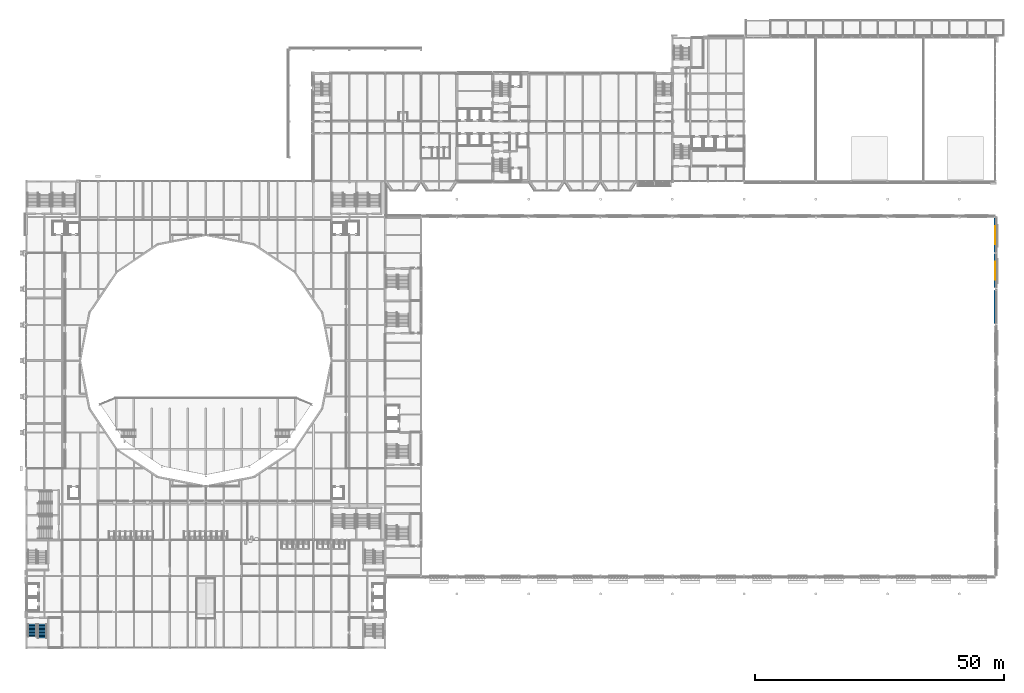
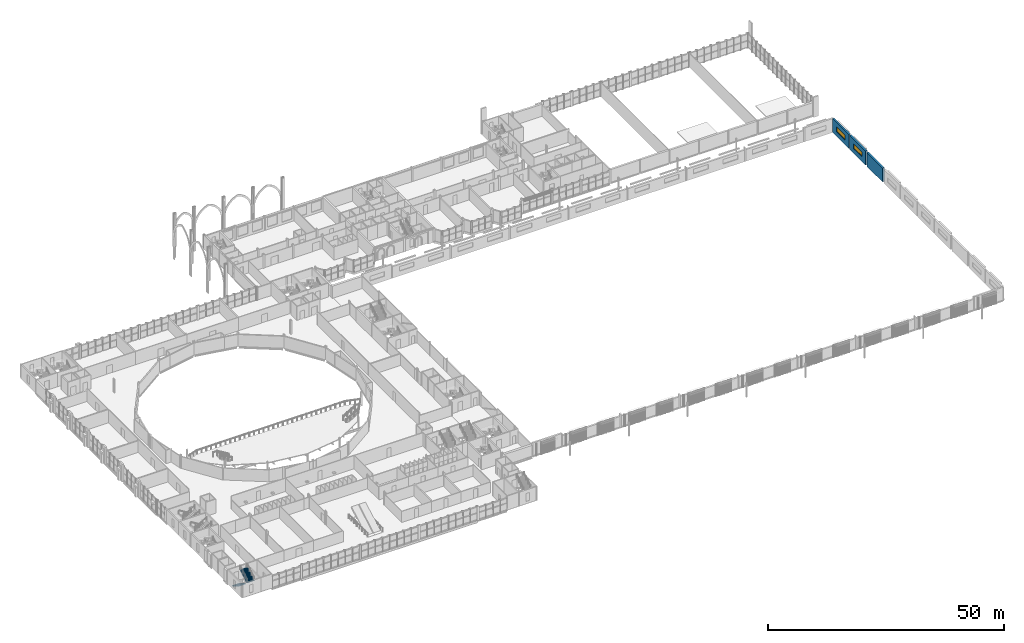
# One storey, part 80 of 124: 3 walls, 2 stair flights, 2 windows, 2 openings, 1 element without a shape of its own.
"""IFC4 building model written with IfcOpenShell, lengths in metres."""

from ifc_helpers import new_model, si_unit, direction, frame, frame_2d, origin, place, context, subcontext, project, spatial, polyline, rectangle, outline, extrude, material, layer, layer_set, type_object, element, fill, aggregate, save


model = new_model("IFC4")

# Units and contexts
model_context = context("Model", 3, precision=1e-05, world=origin(), true_north=direction((0.0, 1.0)))
body_context = subcontext(model_context, "Body", "Model", "MODEL_VIEW")
ifc_project = project(units=[si_unit("LENGTHUNIT", "METRE"), si_unit("AREAUNIT", "SQUARE_METRE"), si_unit("VOLUMEUNIT", "CUBIC_METRE"), si_unit("PLANEANGLEUNIT", "RADIAN"), si_unit("MASSUNIT", "GRAM", prefix="KILO")], contexts=[model_context])

# Site, building, storey
site_placement = place(None, origin())
site = spatial("IfcSite", under=ifc_project, at=site_placement, CompositionType="ELEMENT")
building_placement = place(site_placement, origin())
building = spatial("IfcBuilding", under=site, at=building_placement, Name="Kupolbacken Congress Centre", CompositionType="ELEMENT")
storey_placement = place(building_placement, frame((0.0, 0.0, 10.800048828125)))
storey = spatial("IfcBuildingStorey", under=building, at=storey_placement, Name="L03", CompositionType="ELEMENT", Elevation=10.800048828125)

# Wall
ifc_material_1 = material(Name="Brick", Category="masonry")
ifc_layer_1 = layer(ifc_material_1, 0.10791015625)
ifc_material_2 = material(Name="Air cavity", Category="air")
ifc_layer_2 = layer(ifc_material_2, 0.0400390625, ventilated=True)
ifc_material_3 = material(Name="Mineral wool", Category="insulation")
ifc_layer_3 = layer(ifc_material_3, 0.152099609375)
ifc_material_4 = material(Name="Concrete block", Category="masonry")
ifc_layer_4 = layer(ifc_material_4, 0.1201171875)
ifc_layer_set = layer_set([ifc_layer_1, ifc_layer_2, ifc_layer_3, ifc_layer_4], Name="Brick / Mineral wool / Concrete block")
wall_type = type_object("IfcWallType", Name="EW04 external cavity wall 420", PredefinedType="SOLIDWALL", material=ifc_layer_set)
wall_1_placement = place(storey_placement, frame((201.60009765625, 93.844970703125, 0.0), z_axis=(0.0, 0.0, 1.0), x_axis=(0.0, 1.0, 0.0)))
element("IfcWall", 1, at=wall_1_placement, inside=storey, type_object=wall_type, Name="E/H/E/L03/350", PredefinedType="SOLIDWALL", context=body_context, shape_type="SweptSolid", body=[
    extrude(rectangle(XDim=6.7099609375, YDim=0.419921875, at=frame_2d((3.35498046875, 0.0))), origin(), (0.0, 0.0, 1.0), 3.599853515625),
])

# Wall, opening, window
wall_2_placement = place(storey_placement, frame((201.60009765625, 101.044921875, 0.0), z_axis=(0.0, 0.0, 1.0), x_axis=(0.0, 1.0, 0.0)))
wall_2 = element("IfcWall", 2, at=wall_2_placement, inside=storey, type_object=wall_type, Name="E/H/E/L03/351", PredefinedType="SOLIDWALL", context=body_context, shape_type="SweptSolid", body=[
    extrude(rectangle(XDim=6.81005859375, YDim=0.419921875, at=frame_2d((3.405029296875, 0.0))), origin(), (0.0, 0.0, 1.0), 3.599853515625),
])
opening_1_placement = place(wall_2_placement, frame((1.554931640625, 0.0, 1.199951171875)))
opening_1 = element("IfcOpeningElement", 3, at=opening_1_placement, cuts=wall_2, Name="Opening W12", PredefinedType="OPENING", context=body_context, shape_type="SweptSolid", body=[
    extrude(rectangle(XDim=3.60009765625, YDim=1.199951171875, at=frame_2d((1.800048828125, 0.60009765625))), frame((0.0, 0.219970703125, 0.0), z_axis=(0.0, -1.0, 0.0), x_axis=(1.0, 0.0, 0.0)), (0.0, 0.0, 1.0), 0.43994140625),
])
ifc_material_5 = material(Name="Aluminium frame with double or triple glazing", Category="aluminium")
window_type = type_object("IfcWindowType", Name="W12 window 3600x1200", PartitioningType="TRIPLE_PANEL_VERTICAL", PredefinedType="WINDOW", material=ifc_material_5)
window_1_placement = place(opening_1_placement, origin())
window_1 = element("IfcWindow", 4, at=window_1_placement, inside=storey, type_object=window_type, Name="E/H/E/L03/351/W1", OverallHeight=1.199951171875, OverallWidth=3.60009765625, PartitioningType="SINGLE_PANEL", PredefinedType="WINDOW", context=body_context, shape_type="SweptSolid", body=[
    extrude(rectangle(XDim=3.60009765625, YDim=1.199951171875, at=frame_2d((1.800048828125, 0.60009765625))), frame((0.0, 0.030029296875, 0.0), z_axis=(0.0, -1.0, 0.0), x_axis=(1.0, 0.0, 0.0)), (0.0, 0.0, 1.0), 0.06005859375),
])
fill(opening_1, window_1)

wall_3_placement = place(storey_placement, frame((201.60009765625, 108.14501953125, 0.0), z_axis=(0.0, 0.0, 1.0), x_axis=(0.0, 1.0, 0.0)))
wall_3 = element("IfcWall", 5, at=wall_3_placement, inside=storey, type_object=wall_type, Name="E/H/E/L03/352", PredefinedType="SOLIDWALL", context=body_context, shape_type="SweptSolid", body=[
    extrude(rectangle(XDim=6.844970703125, YDim=0.419921875, at=frame_2d((3.42236328125, 0.0))), origin(), (0.0, 0.0, 1.0), 3.599853515625),
])
opening_2_placement = place(wall_3_placement, frame((1.655029296875, 0.0, 1.199951171875)))
opening_2 = element("IfcOpeningElement", 6, at=opening_2_placement, cuts=wall_3, Name="Opening W12", PredefinedType="OPENING", context=body_context, shape_type="SweptSolid", body=[
    extrude(rectangle(XDim=3.60009765625, YDim=1.199951171875, at=frame_2d((1.800048828125, 0.60009765625))), frame((0.0, 0.219970703125, 0.0), z_axis=(0.0, -1.0, 0.0), x_axis=(1.0, 0.0, 0.0)), (0.0, 0.0, 1.0), 0.43994140625),
])
window_2_placement = place(opening_2_placement, origin())
window_2 = element("IfcWindow", 7, at=window_2_placement, inside=storey, type_object=window_type, Name="E/H/E/L03/352/W1", OverallHeight=1.199951171875, OverallWidth=3.60009765625, PartitioningType="SINGLE_PANEL", PredefinedType="WINDOW", context=body_context, shape_type="SweptSolid", body=[
    extrude(rectangle(XDim=3.60009765625, YDim=1.199951171875, at=frame_2d((1.800048828125, 0.60009765625))), frame((0.0, 0.030029296875, 0.0), z_axis=(0.0, -1.0, 0.0), x_axis=(1.0, 0.0, 0.0)), (0.0, 0.0, 1.0), 0.06005859375),
])
fill(opening_2, window_2)

# Stair, stair flights
ifc_material_6 = material(Name="Steel S355", Category="steel")
stair_type = type_object("IfcStairType", Name="ST3 stair 1800", PredefinedType="TWO_STRAIGHT_RUN_STAIR", material=ifc_material_6)
stair_placement = place(storey_placement, origin())
stair = element("IfcStair", 8, at=stair_placement, inside=storey, type_object=stair_type, Name="C/stair/FS1W/L03", PredefinedType="NOTDEFINED")
ifc_material_7 = material(Name="Steel S355", Category="steel")
stair_flight_type_1 = type_object("IfcStairFlightType", Name="FL5 stair flight 1800 x 10 risers", PredefinedType="STRAIGHT", material=ifc_material_7)
stair_flight_1_placement = place(storey_placement, frame((8.39990234375, 33.544921875, 0.0), z_axis=(0.0, 0.0, 1.0), x_axis=(0.0, -1.0, 0.0)))
stair_flight_1 = element("IfcStairFlight", 9, at=stair_flight_1_placement, type_object=stair_flight_type_1, Name="FS1W flight 1", NumberOfRisers=10, NumberOfTreads=9, PredefinedType="STRAIGHT", RiserHeight=0.171428571, TreadLength=0.28, context=body_context, shape_type="SweptSolid", body=[
    extrude(outline(polyline([(0.0, 0.0), (0.0, 0.0009765625), (0.0, 0.002197265625), (0.0, 0.003173828125), (0.0, 0.004150390625), (0.0, 0.00537109375), (0.0, 0.00634765625), (0.0, 0.007568359375), (0.0, 0.008544921875), (0.0, 0.009521484375), (0.0, 0.0107421875), (0.0, 0.01171875), (0.0, 0.0126953125), (0.0, 0.013916015625), (0.0, 0.014892578125), (0.0, 0.015869140625), (0.0, 0.01708984375), (0.0, 0.01806640625), (0.0, 0.019287109375), (0.0, 0.020263671875), (0.0, 0.021240234375), (0.0, 0.0224609375), (0.0, 0.0234375), (0.0, 0.0244140625), (0.0, 0.025634765625), (0.0, 0.026611328125), (0.0, 0.027587890625), (0.0, 0.02880859375), (0.0, 0.02978515625), (0.0, 0.03076171875), (0.0, 0.031982421875), (0.0, 0.032958984375), (0.0, 0.0341796875), (0.0, 0.03515625), (0.0, 0.0361328125), (0.0, 0.037353515625), (0.0, 0.038330078125), (0.0, 0.039306640625), (0.0, 0.04052734375), (0.0, 0.04150390625), (0.0, 0.04248046875), (0.0, 0.043701171875), (0.0, 0.044677734375), (0.0, 0.0458984375), (0.0, 0.046875), (0.0, 0.0478515625), (0.0, 0.049072265625), (0.0, 0.050048828125), (0.0, 0.051025390625), (0.0, 0.05224609375), (0.0, 0.05322265625), (0.0, 0.05419921875), (0.0, 0.055419921875), (0.0, 0.056396484375), (0.0, 0.0576171875), (0.0, 0.05859375), (0.0, 0.0595703125), (0.0, 0.060791015625), (0.0, 0.061767578125), (0.0, 0.062744140625), (0.0, 0.06396484375), (0.0, 0.06494140625), (0.0, 0.06591796875), (0.0, 0.067138671875), (0.0, 0.068115234375), (0.0, 0.069091796875), (0.0, 0.0703125), (0.0, 0.0712890625), (0.0, 0.072509765625), (0.0, 0.073486328125), (0.0, 0.074462890625), (0.0, 0.07568359375), (0.0, 0.07666015625), (0.0, 0.07763671875), (0.0, 0.078857421875), (0.0, 0.079833984375), (0.0, 0.080810546875), (0.0, 0.08203125), (0.0, 0.0830078125), (0.0, 0.084228515625), (0.0, 0.085205078125), (0.0, 0.086181640625), (0.0, 0.08740234375), (0.0, 0.08837890625), (0.0, 0.08935546875), (0.0, 0.090576171875), (0.0, 0.091552734375), (0.0, 0.092529296875), (0.0, 0.09375), (0.0, 0.0947265625), (0.0, 0.095947265625), (0.0, 0.096923828125), (0.0, 0.097900390625), (0.0, 0.09912109375), (0.0, 0.10009765625), (0.0, 0.10107421875), (0.0, 0.102294921875), (0.0, 0.103271484375), (0.0, 0.104248046875), (0.0, 0.10546875), (0.0, 0.1064453125), (0.0, 0.107421875), (0.0, 0.108642578125), (0.0, 0.109619140625), (0.0, 0.11083984375), (0.0, 0.11181640625), (0.0, 0.11279296875), (0.0, 0.114013671875), (0.0, 0.114990234375), (0.0, 0.115966796875), (0.0, 0.1171875), (0.0, 0.1181640625), (0.0, 0.119140625), (0.0, 0.120361328125), (0.0, 0.121337890625), (0.0, 0.12255859375), (0.0, 0.12353515625), (0.0, 0.12451171875), (0.0, 0.125732421875), (0.0, 0.126708984375), (0.0, 0.127685546875), (0.0, 0.12890625), (0.0, 0.1298828125), (0.0, 0.130859375), (0.0, 0.132080078125), (0.0, 0.133056640625), (0.0, 0.13427734375), (0.0, 0.13525390625), (0.0, 0.13623046875), (0.0, 0.137451171875), (0.0, 0.138427734375), (0.0, 0.139404296875), (0.0, 0.140625), (0.0, 0.1416015625), (0.0, 0.142578125), (0.0, 0.143798828125), (0.0, 0.144775390625), (0.0, 0.145751953125), (0.0, 0.14697265625), (0.0, 0.14794921875), (0.0, 0.149169921875), (0.0, 0.150146484375), (0.0, 0.151123046875), (0.0, 0.15234375), (0.0, 0.1533203125), (0.0, 0.154296875), (0.0, 0.155517578125), (0.0, 0.156494140625), (0.0, 0.157470703125), (0.0, 0.15869140625), (0.0, 0.15966796875), (0.0, 0.160888671875), (0.0, 0.161865234375), (0.0, 0.162841796875), (0.0, 0.1640625), (0.0, 0.1650390625), (0.0, 0.166015625), (0.0, 0.167236328125), (0.0, 0.168212890625), (0.0, 0.169189453125), (0.0, 0.17041015625), (0.0, 0.17138671875), (0.280029296875, 0.17138671875), (0.280029296875, 0.3427734375), (0.56005859375, 0.3427734375), (0.56005859375, 0.514404296875), (0.840087890625, 0.514404296875), (0.840087890625, 0.685791015625), (1.1201171875, 0.685791015625), (1.1201171875, 0.857177734375), (1.39990234375, 0.857177734375), (1.39990234375, 1.028564453125), (1.679931640625, 1.028564453125), (1.679931640625, 1.199951171875), (1.9599609375, 1.199951171875), (1.9599609375, 1.371337890625), (2.239990234375, 1.371337890625), (2.239990234375, 1.54296875), (2.52001953125, 1.54296875), (2.52001953125, 1.71435546875), (2.52197265625, 1.71435546875), (2.52197265625, 1.712158203125), (2.52197265625, 1.7099609375), (2.52197265625, 1.707763671875), (2.52197265625, 1.70556640625), (2.52197265625, 1.70361328125), (2.52197265625, 1.701416015625), (2.52197265625, 1.69921875), (2.52197265625, 1.697021484375), (2.52197265625, 1.69482421875), (2.52197265625, 1.692626953125), (2.52197265625, 1.690673828125), (2.52197265625, 1.6884765625), (2.52197265625, 1.686279296875), (2.52197265625, 1.68408203125), (2.52197265625, 1.681884765625), (2.52197265625, 1.6796875), (2.52197265625, 1.677734375), (2.52197265625, 1.675537109375), (2.52197265625, 1.67333984375), (2.52197265625, 1.671142578125), (2.52197265625, 1.6689453125), (2.52197265625, 1.666748046875), (2.52197265625, 1.664794921875), (2.52197265625, 1.66259765625), (2.52197265625, 1.660400390625), (2.52197265625, 1.658203125), (2.52197265625, 1.656005859375), (2.52197265625, 1.65380859375), (2.52197265625, 1.65185546875), (2.52197265625, 1.649658203125), (2.52197265625, 1.6474609375), (2.52197265625, 1.645263671875), (2.52197265625, 1.64306640625), (2.52197265625, 1.640869140625), (2.52197265625, 1.638916015625), (2.52197265625, 1.63671875), (2.52197265625, 1.634521484375), (2.52197265625, 1.63232421875), (2.52197265625, 1.630126953125), (2.52197265625, 1.6279296875), (2.52197265625, 1.6259765625), (2.52197265625, 1.623779296875), (2.52197265625, 1.62158203125), (2.52197265625, 1.619384765625), (2.52197265625, 1.6171875), (2.52197265625, 1.614990234375), (2.52197265625, 1.613037109375), (2.52197265625, 1.61083984375), (2.52197265625, 1.608642578125), (2.52197265625, 1.6064453125), (2.52197265625, 1.604248046875), (2.52197265625, 1.60205078125), (2.52197265625, 1.60009765625), (2.52197265625, 1.597900390625), (2.52197265625, 1.595703125), (2.52197265625, 1.593505859375), (2.52197265625, 1.59130859375), (2.52197265625, 1.589111328125), (2.52197265625, 1.587158203125), (2.52197265625, 1.5849609375), (2.52197265625, 1.582763671875), (2.52197265625, 1.58056640625), (2.52197265625, 1.578369140625), (2.52197265625, 1.576171875), (2.52197265625, 1.57421875), (2.52197265625, 1.572021484375), (2.52197265625, 1.56982421875), (2.52197265625, 1.567626953125), (2.52197265625, 1.5654296875), (2.52197265625, 1.563232421875), (2.52197265625, 1.561279296875), (2.52197265625, 1.55908203125), (2.52197265625, 1.556884765625), (2.52197265625, 1.5546875), (2.52197265625, 1.552490234375), (2.52197265625, 1.55029296875), (2.52197265625, 1.54833984375), (2.52197265625, 1.546142578125), (2.52197265625, 1.5439453125), (2.52197265625, 1.541748046875), (2.52197265625, 1.53955078125), (2.52197265625, 1.537353515625), (2.52197265625, 1.535400390625), (2.52197265625, 1.533203125), (2.52197265625, 1.531005859375), (2.52197265625, 1.52880859375), (2.52197265625, 1.526611328125), (2.52197265625, 1.5244140625), (2.52197265625, 1.5224609375), (2.52197265625, 1.520263671875), (2.52197265625, 1.51806640625), (2.52197265625, 1.515869140625), (2.52197265625, 1.513671875), (2.52197265625, 1.511474609375), (2.52197265625, 1.509521484375), (2.52197265625, 1.50732421875), (2.52197265625, 1.505126953125), (2.52197265625, 1.5029296875), (2.52197265625, 1.500732421875), (2.52197265625, 1.49853515625), (2.52197265625, 1.49658203125), (2.52197265625, 1.494384765625), (2.52197265625, 1.4921875), (2.52197265625, 1.489990234375), (2.52197265625, 1.48779296875), (2.52197265625, 1.485595703125), (2.52197265625, 1.483642578125), (2.52197265625, 1.4814453125), (2.52197265625, 1.479248046875), (2.52197265625, 1.47705078125), (2.52197265625, 1.474853515625), (2.52197265625, 1.47265625), (2.52197265625, 1.470703125), (2.52197265625, 1.468505859375), (2.52197265625, 1.46630859375), (2.52197265625, 1.464111328125), (2.52197265625, 1.4619140625), (2.52197265625, 1.459716796875), (2.52197265625, 1.457763671875), (2.52197265625, 1.45556640625), (2.52197265625, 1.453369140625), (2.52197265625, 1.451171875), (2.52197265625, 1.448974609375), (2.52197265625, 1.44677734375), (2.52197265625, 1.44482421875), (2.52197265625, 1.442626953125), (2.52197265625, 1.4404296875), (2.52197265625, 1.438232421875), (2.52197265625, 1.43603515625), (2.52197265625, 1.433837890625), (2.52197265625, 1.431884765625), (2.52197265625, 1.4296875), (2.52197265625, 1.427490234375), (2.52197265625, 1.42529296875), (2.52197265625, 1.423095703125), (2.52197265625, 1.4208984375), (2.52197265625, 1.4189453125), (2.52197265625, 1.416748046875), (2.52197265625, 1.41455078125), (2.52197265625, 1.412353515625), (2.52197265625, 1.41015625), (2.52197265625, 1.407958984375), (2.52197265625, 1.406005859375), (2.52197265625, 1.40380859375), (2.52197265625, 1.401611328125), (2.52197265625, 1.3994140625), (2.52197265625, 1.397216796875), (2.52197265625, 1.39501953125), (2.52197265625, 1.39306640625), (2.52197265625, 1.390869140625), (2.52197265625, 1.388671875), (2.52197265625, 1.386474609375), (2.52197265625, 1.38427734375), (2.52197265625, 1.382080078125), (2.52197265625, 1.380126953125), (2.52197265625, 1.3779296875), (2.52197265625, 1.375732421875), (2.52197265625, 1.37353515625), (2.52197265625, 1.371337890625), (2.52197265625, 1.369140625), (2.52197265625, 1.3671875), (0.2890625, 0.0), (0.0, 0.0)])), frame((0.0, 0.89990234375, 0.0), z_axis=(0.0, -1.0, 0.0), x_axis=(1.0, 0.0, 0.0)), (0.0, 0.0, 1.0), 1.800048828125),
])
ifc_material_8 = material(Name="Steel S355", Category="steel")
stair_flight_type_2 = type_object("IfcStairFlightType", Name="FL6 stair flight 1800 x 11 risers", PredefinedType="STRAIGHT", material=ifc_material_8)
stair_flight_2_placement = place(storey_placement, frame((10.39990234375, 30.7451171875, 1.71435546875), z_axis=(0.0, 0.0, 1.0), x_axis=(0.0, 1.0, 0.0)))
stair_flight_2 = element("IfcStairFlight", 10, at=stair_flight_2_placement, type_object=stair_flight_type_2, Name="FS1W flight 2", NumberOfRisers=11, NumberOfTreads=10, PredefinedType="STRAIGHT", RiserHeight=0.171428571, TreadLength=0.28, context=body_context, shape_type="SweptSolid", body=[
    extrude(outline(polyline([(0.0, 0.0), (0.0, 0.0009765625), (0.0, 0.002197265625), (0.0, 0.003173828125), (0.0, 0.004150390625), (0.0, 0.00537109375), (0.0, 0.00634765625), (0.0, 0.007568359375), (0.0, 0.008544921875), (0.0, 0.009521484375), (0.0, 0.0107421875), (0.0, 0.01171875), (0.0, 0.0126953125), (0.0, 0.013916015625), (0.0, 0.014892578125), (0.0, 0.015869140625), (0.0, 0.01708984375), (0.0, 0.01806640625), (0.0, 0.019287109375), (0.0, 0.020263671875), (0.0, 0.021240234375), (0.0, 0.0224609375), (0.0, 0.0234375), (0.0, 0.0244140625), (0.0, 0.025634765625), (0.0, 0.026611328125), (0.0, 0.027587890625), (0.0, 0.02880859375), (0.0, 0.02978515625), (0.0, 0.03076171875), (0.0, 0.031982421875), (0.0, 0.032958984375), (0.0, 0.0341796875), (0.0, 0.03515625), (0.0, 0.0361328125), (0.0, 0.037353515625), (0.0, 0.038330078125), (0.0, 0.039306640625), (0.0, 0.04052734375), (0.0, 0.04150390625), (0.0, 0.04248046875), (0.0, 0.043701171875), (0.0, 0.044677734375), (0.0, 0.0458984375), (0.0, 0.046875), (0.0, 0.0478515625), (0.0, 0.049072265625), (0.0, 0.050048828125), (0.0, 0.051025390625), (0.0, 0.05224609375), (0.0, 0.05322265625), (0.0, 0.05419921875), (0.0, 0.055419921875), (0.0, 0.056396484375), (0.0, 0.0576171875), (0.0, 0.05859375), (0.0, 0.0595703125), (0.0, 0.060791015625), (0.0, 0.061767578125), (0.0, 0.062744140625), (0.0, 0.06396484375), (0.0, 0.06494140625), (0.0, 0.06591796875), (0.0, 0.067138671875), (0.0, 0.068115234375), (0.0, 0.069091796875), (0.0, 0.0703125), (0.0, 0.0712890625), (0.0, 0.072509765625), (0.0, 0.073486328125), (0.0, 0.074462890625), (0.0, 0.07568359375), (0.0, 0.07666015625), (0.0, 0.07763671875), (0.0, 0.078857421875), (0.0, 0.079833984375), (0.0, 0.080810546875), (0.0, 0.08203125), (0.0, 0.0830078125), (0.0, 0.084228515625), (0.0, 0.085205078125), (0.0, 0.086181640625), (0.0, 0.08740234375), (0.0, 0.08837890625), (0.0, 0.08935546875), (0.0, 0.090576171875), (0.0, 0.091552734375), (0.0, 0.092529296875), (0.0, 0.09375), (0.0, 0.0947265625), (0.0, 0.095947265625), (0.0, 0.096923828125), (0.0, 0.097900390625), (0.0, 0.09912109375), (0.0, 0.10009765625), (0.0, 0.10107421875), (0.0, 0.102294921875), (0.0, 0.103271484375), (0.0, 0.104248046875), (0.0, 0.10546875), (0.0, 0.1064453125), (0.0, 0.107421875), (0.0, 0.108642578125), (0.0, 0.109619140625), (0.0, 0.11083984375), (0.0, 0.11181640625), (0.0, 0.11279296875), (0.0, 0.114013671875), (0.0, 0.114990234375), (0.0, 0.115966796875), (0.0, 0.1171875), (0.0, 0.1181640625), (0.0, 0.119140625), (0.0, 0.120361328125), (0.0, 0.121337890625), (0.0, 0.12255859375), (0.0, 0.12353515625), (0.0, 0.12451171875), (0.0, 0.125732421875), (0.0, 0.126708984375), (0.0, 0.127685546875), (0.0, 0.12890625), (0.0, 0.1298828125), (0.0, 0.130859375), (0.0, 0.132080078125), (0.0, 0.133056640625), (0.0, 0.13427734375), (0.0, 0.13525390625), (0.0, 0.13623046875), (0.0, 0.137451171875), (0.0, 0.138427734375), (0.0, 0.139404296875), (0.0, 0.140625), (0.0, 0.1416015625), (0.0, 0.142578125), (0.0, 0.143798828125), (0.0, 0.144775390625), (0.0, 0.145751953125), (0.0, 0.14697265625), (0.0, 0.14794921875), (0.0, 0.149169921875), (0.0, 0.150146484375), (0.0, 0.151123046875), (0.0, 0.15234375), (0.0, 0.1533203125), (0.0, 0.154296875), (0.0, 0.155517578125), (0.0, 0.156494140625), (0.0, 0.157470703125), (0.0, 0.15869140625), (0.0, 0.15966796875), (0.0, 0.160888671875), (0.0, 0.161865234375), (0.0, 0.162841796875), (0.0, 0.1640625), (0.0, 0.1650390625), (0.0, 0.166015625), (0.0, 0.167236328125), (0.0, 0.168212890625), (0.0, 0.169189453125), (0.0, 0.17041015625), (0.0, 0.17138671875), (0.280029296875, 0.17138671875), (0.280029296875, 0.3427734375), (0.56005859375, 0.3427734375), (0.56005859375, 0.514404296875), (0.840087890625, 0.514404296875), (0.840087890625, 0.685791015625), (1.1201171875, 0.685791015625), (1.1201171875, 0.857177734375), (1.39990234375, 0.857177734375), (1.39990234375, 1.028564453125), (1.679931640625, 1.028564453125), (1.679931640625, 1.199951171875), (1.9599609375, 1.199951171875), (1.9599609375, 1.371337890625), (2.239990234375, 1.371337890625), (2.239990234375, 1.54296875), (2.52001953125, 1.54296875), (2.52001953125, 1.71435546875), (2.800048828125, 1.71435546875), (2.800048828125, 1.8857421875), (2.802001953125, 1.8857421875), (2.802001953125, 1.883544921875), (2.802001953125, 1.88134765625), (2.802001953125, 1.879150390625), (2.802001953125, 1.877197265625), (2.802001953125, 1.875), (2.802001953125, 1.872802734375), (2.802001953125, 1.87060546875), (2.802001953125, 1.868408203125), (2.802001953125, 1.8662109375), (2.802001953125, 1.8642578125), (2.802001953125, 1.862060546875), (2.802001953125, 1.85986328125), (2.802001953125, 1.857666015625), (2.802001953125, 1.85546875), (2.802001953125, 1.853271484375), (2.802001953125, 1.851318359375), (2.802001953125, 1.84912109375), (2.802001953125, 1.846923828125), (2.802001953125, 1.8447265625), (2.802001953125, 1.842529296875), (2.802001953125, 1.84033203125), (2.802001953125, 1.83837890625), (2.802001953125, 1.836181640625), (2.802001953125, 1.833984375), (2.802001953125, 1.831787109375), (2.802001953125, 1.82958984375), (2.802001953125, 1.827392578125), (2.802001953125, 1.825439453125), (2.802001953125, 1.8232421875), (2.802001953125, 1.821044921875), (2.802001953125, 1.81884765625), (2.802001953125, 1.816650390625), (2.802001953125, 1.814453125), (2.802001953125, 1.8125), (2.802001953125, 1.810302734375), (2.802001953125, 1.80810546875), (2.802001953125, 1.805908203125), (2.802001953125, 1.8037109375), (2.802001953125, 1.801513671875), (2.802001953125, 1.799560546875), (2.802001953125, 1.79736328125), (2.802001953125, 1.795166015625), (2.802001953125, 1.79296875), (2.802001953125, 1.790771484375), (2.802001953125, 1.78857421875), (2.802001953125, 1.78662109375), (2.802001953125, 1.784423828125), (2.802001953125, 1.7822265625), (2.802001953125, 1.780029296875), (2.802001953125, 1.77783203125), (2.802001953125, 1.775634765625), (2.802001953125, 1.773681640625), (2.802001953125, 1.771484375), (2.802001953125, 1.769287109375), (2.802001953125, 1.76708984375), (2.802001953125, 1.764892578125), (2.802001953125, 1.7626953125), (2.802001953125, 1.7607421875), (2.802001953125, 1.758544921875), (2.802001953125, 1.75634765625), (2.802001953125, 1.754150390625), (2.802001953125, 1.751953125), (2.802001953125, 1.749755859375), (2.802001953125, 1.747802734375), (2.802001953125, 1.74560546875), (2.802001953125, 1.743408203125), (2.802001953125, 1.7412109375), (2.802001953125, 1.739013671875), (2.802001953125, 1.73681640625), (2.802001953125, 1.73486328125), (2.802001953125, 1.732666015625), (2.802001953125, 1.73046875), (2.802001953125, 1.728271484375), (2.802001953125, 1.72607421875), (2.802001953125, 1.723876953125), (2.802001953125, 1.721923828125), (2.802001953125, 1.7197265625), (2.802001953125, 1.717529296875), (2.802001953125, 1.71533203125), (2.802001953125, 1.713134765625), (2.802001953125, 1.7109375), (2.802001953125, 1.708984375), (2.802001953125, 1.706787109375), (2.802001953125, 1.70458984375), (2.802001953125, 1.702392578125), (2.802001953125, 1.7001953125), (2.802001953125, 1.697998046875), (2.802001953125, 1.696044921875), (2.802001953125, 1.69384765625), (2.802001953125, 1.691650390625), (2.802001953125, 1.689453125), (2.802001953125, 1.687255859375), (2.802001953125, 1.68505859375), (2.802001953125, 1.68310546875), (2.802001953125, 1.680908203125), (2.802001953125, 1.6787109375), (2.802001953125, 1.676513671875), (2.802001953125, 1.67431640625), (2.802001953125, 1.672119140625), (2.802001953125, 1.670166015625), (2.802001953125, 1.66796875), (2.802001953125, 1.665771484375), (2.802001953125, 1.66357421875), (2.802001953125, 1.661376953125), (2.802001953125, 1.6591796875), (2.802001953125, 1.6572265625), (2.802001953125, 1.655029296875), (2.802001953125, 1.65283203125), (2.802001953125, 1.650634765625), (2.802001953125, 1.6484375), (2.802001953125, 1.646240234375), (2.802001953125, 1.644287109375), (2.802001953125, 1.64208984375), (2.802001953125, 1.639892578125), (2.802001953125, 1.6376953125), (2.802001953125, 1.635498046875), (2.802001953125, 1.63330078125), (2.802001953125, 1.63134765625), (2.802001953125, 1.629150390625), (2.802001953125, 1.626953125), (2.802001953125, 1.624755859375), (2.802001953125, 1.62255859375), (2.802001953125, 1.620361328125), (2.802001953125, 1.618408203125), (2.802001953125, 1.6162109375), (2.802001953125, 1.614013671875), (2.802001953125, 1.61181640625), (2.802001953125, 1.609619140625), (2.802001953125, 1.607421875), (2.802001953125, 1.60546875), (2.802001953125, 1.603271484375), (2.802001953125, 1.60107421875), (2.802001953125, 1.598876953125), (2.802001953125, 1.5966796875), (2.802001953125, 1.594482421875), (2.802001953125, 1.592529296875), (2.802001953125, 1.59033203125), (2.802001953125, 1.588134765625), (2.802001953125, 1.5859375), (2.802001953125, 1.583740234375), (2.802001953125, 1.58154296875), (2.802001953125, 1.57958984375), (2.802001953125, 1.577392578125), (2.802001953125, 1.5751953125), (2.802001953125, 1.572998046875), (2.802001953125, 1.57080078125), (2.802001953125, 1.568603515625), (2.802001953125, 1.566650390625), (2.802001953125, 1.564453125), (2.802001953125, 1.562255859375), (2.802001953125, 1.56005859375), (2.802001953125, 1.557861328125), (2.802001953125, 1.5556640625), (2.802001953125, 1.5537109375), (2.802001953125, 1.551513671875), (2.802001953125, 1.54931640625), (2.802001953125, 1.547119140625), (2.802001953125, 1.544921875), (2.802001953125, 1.542724609375), (2.802001953125, 1.540771484375), (2.802001953125, 1.53857421875), (0.2890625, 0.0), (0.0, 0.0)])), frame((0.0, 0.89990234375, 0.0), z_axis=(0.0, -1.0, 0.0), x_axis=(1.0, 0.0, 0.0)), (0.0, 0.0, 1.0), 1.800048828125),
])
aggregate(stair, [stair_flight_1, stair_flight_2])

save(model, "model.ifc")
